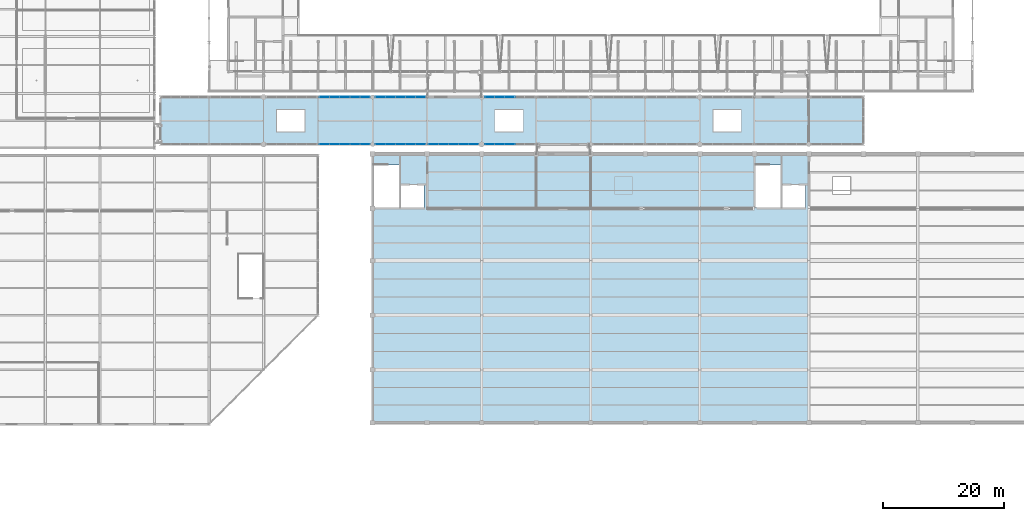
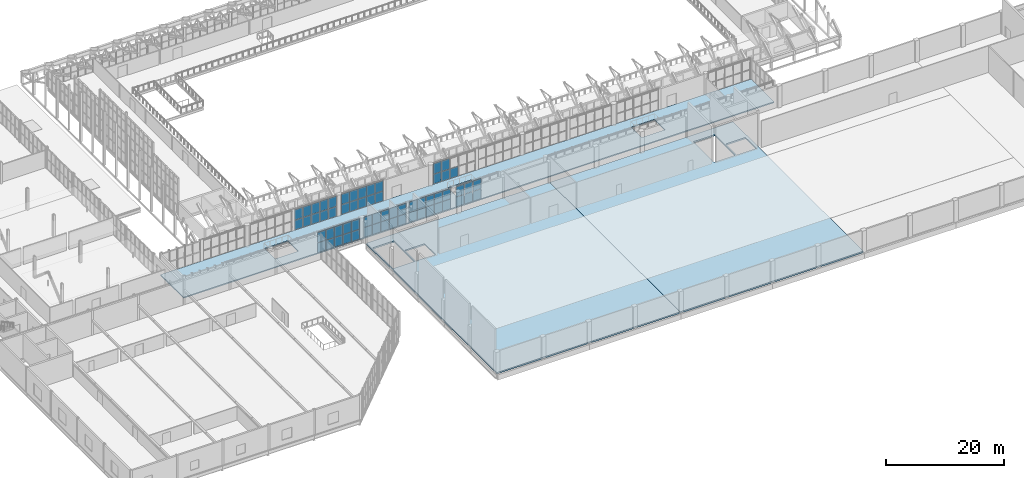
# One storey, part 92 of 134: 61 plates, 3 slabs, 7 elements without a shape of their own.
"""IFC4 building model written with IfcOpenShell, lengths in metres."""

from ifc_helpers import new_model, si_unit, direction, frame, origin, origin_2d, place, context, subcontext, project, spatial, polyline, rectangle, outline, extrude, material, layer, layer_set, type_object, element, aggregate, save


model = new_model("IFC4")

# Units and contexts
model_context = context("Model", 3, precision=1e-05, world=origin(), true_north=direction((0.0, 1.0)))
body_context = subcontext(model_context, "Body", "Model", "MODEL_VIEW")
ifc_project = project(units=[si_unit("LENGTHUNIT", "METRE"), si_unit("AREAUNIT", "SQUARE_METRE"), si_unit("VOLUMEUNIT", "CUBIC_METRE"), si_unit("PLANEANGLEUNIT", "RADIAN"), si_unit("MASSUNIT", "GRAM", prefix="KILO")], contexts=[model_context])

# Site, building, storey
site_placement = place(None, origin())
site = spatial("IfcSite", under=ifc_project, at=site_placement, CompositionType="ELEMENT")
building_placement = place(site_placement, origin())
building = spatial("IfcBuilding", under=site, at=building_placement, Name="Cazmaro Siding Exhibition Halls", CompositionType="ELEMENT")
storey_placement = place(building_placement, frame((0.0, 0.0, 12.0)))
storey = spatial("IfcBuildingStorey", under=building, at=storey_placement, Name="L02", CompositionType="ELEMENT", Elevation=12.0)

# Curtain wall, plates
ifc_material_1 = material(Name="Anodized Bronze Aluminum and Solar-Control Low-E Glazing", Category="aluminium")
ifc_layer_1 = layer(ifc_material_1, 0.199951171875)
ifc_layer_set_1 = layer_set([ifc_layer_1], Name="Anodized Bronze Aluminum and Solar-Control Low-E Glazing")
curtain_wall_type = type_object("IfcCurtainWallType", Name="CWS-02", PredefinedType="USERDEFINED", material=ifc_layer_set_1)
curtain_wall_1_placement = place(storey_placement, origin())
curtain_wall_1 = element("IfcCurtainWall", 1, at=curtain_wall_1_placement, inside=storey, type_object=curtain_wall_type, Name="Glazed Curtain Wall CWS-02 CW-158", ObjectType="GLAZED CURTAIN WALL", PredefinedType="USERDEFINED")
ifc_material_2 = material(Name="Solar-Control Low-E Double Insulating Glass", Category="glass")
ifc_layer_2 = layer(ifc_material_2, 0.035888671875)
ifc_layer_set_2 = layer_set([ifc_layer_2], Name="Solar-Control Low-E Double Insulating Glass")
plate_type = type_object("IfcPlateType", Name="CWP-02", PredefinedType="CURTAIN_PANEL", material=ifc_layer_set_2)
plate_1_placement = place(storey_placement, frame((64.08251953125, 55.199951171875, 0.06494140625), z_axis=(0.0, 0.0, 1.0), x_axis=(1.0, 0.0, 0.0)))
plate_1 = element("IfcPlate", 2, at=plate_1_placement, type_object=plate_type, Name="CWS-02 panel 1.1", PredefinedType="CURTAIN_PANEL", context=body_context, shape_type="SweptSolid", body=[
    extrude(rectangle(XDim=1.574951171875, YDim=0.035888671875, at=origin_2d()), origin(), (0.0, 0.0, 1.0), 2.00244140625),
])
plate_2_placement = place(storey_placement, frame((64.08251953125, 55.199951171875, 2.132568359375), z_axis=(0.0, 0.0, 1.0), x_axis=(1.0, 0.0, 0.0)))
plate_2 = element("IfcPlate", 3, at=plate_2_placement, type_object=plate_type, Name="CWS-02 panel 1.2", PredefinedType="CURTAIN_PANEL", context=body_context, shape_type="SweptSolid", body=[
    extrude(rectangle(XDim=1.574951171875, YDim=0.035888671875, at=origin_2d()), origin(), (0.0, 0.0, 1.0), 2.12744140625),
])
plate_3_placement = place(storey_placement, frame((65.738525390625, 55.199951171875, 0.06494140625), z_axis=(0.0, 0.0, 1.0), x_axis=(1.0, 0.0, 0.0)))
plate_3 = element("IfcPlate", 4, at=plate_3_placement, type_object=plate_type, Name="CWS-02 panel 2.1", PredefinedType="CURTAIN_PANEL", context=body_context, shape_type="SweptSolid", body=[
    extrude(rectangle(XDim=1.607421875, YDim=0.035888671875, at=origin_2d()), origin(), (0.0, 0.0, 1.0), 2.00244140625),
])
plate_4_placement = place(storey_placement, frame((65.738525390625, 55.199951171875, 2.132568359375), z_axis=(0.0, 0.0, 1.0), x_axis=(1.0, 0.0, 0.0)))
plate_4 = element("IfcPlate", 5, at=plate_4_placement, type_object=plate_type, Name="CWS-02 panel 2.2", PredefinedType="CURTAIN_PANEL", context=body_context, shape_type="SweptSolid", body=[
    extrude(rectangle(XDim=1.607421875, YDim=0.035888671875, at=origin_2d()), origin(), (0.0, 0.0, 1.0), 2.12744140625),
])
plate_5_placement = place(storey_placement, frame((67.410888671875, 55.199951171875, 0.06494140625), z_axis=(0.0, 0.0, 1.0), x_axis=(1.0, 0.0, 0.0)))
plate_5 = element("IfcPlate", 6, at=plate_5_placement, type_object=plate_type, Name="CWS-02 panel 3.1", PredefinedType="CURTAIN_PANEL", context=body_context, shape_type="SweptSolid", body=[
    extrude(rectangle(XDim=1.607421875, YDim=0.035888671875, at=origin_2d()), origin(), (0.0, 0.0, 1.0), 2.00244140625),
])
plate_6_placement = place(storey_placement, frame((67.410888671875, 55.199951171875, 2.132568359375), z_axis=(0.0, 0.0, 1.0), x_axis=(1.0, 0.0, 0.0)))
plate_6 = element("IfcPlate", 7, at=plate_6_placement, type_object=plate_type, Name="CWS-02 panel 3.2", PredefinedType="CURTAIN_PANEL", context=body_context, shape_type="SweptSolid", body=[
    extrude(rectangle(XDim=1.607421875, YDim=0.035888671875, at=origin_2d()), origin(), (0.0, 0.0, 1.0), 2.12744140625),
])
plate_7_placement = place(storey_placement, frame((69.08349609375, 55.199951171875, 0.06494140625), z_axis=(0.0, 0.0, 1.0), x_axis=(1.0, 0.0, 0.0)))
plate_7 = element("IfcPlate", 8, at=plate_7_placement, type_object=plate_type, Name="CWS-02 panel 4.1", PredefinedType="CURTAIN_PANEL", context=body_context, shape_type="SweptSolid", body=[
    extrude(rectangle(XDim=1.607421875, YDim=0.035888671875, at=origin_2d()), origin(), (0.0, 0.0, 1.0), 2.00244140625),
])
plate_8_placement = place(storey_placement, frame((69.08349609375, 55.199951171875, 2.132568359375), z_axis=(0.0, 0.0, 1.0), x_axis=(1.0, 0.0, 0.0)))
plate_8 = element("IfcPlate", 9, at=plate_8_placement, type_object=plate_type, Name="CWS-02 panel 4.2", PredefinedType="CURTAIN_PANEL", context=body_context, shape_type="SweptSolid", body=[
    extrude(rectangle(XDim=1.607421875, YDim=0.035888671875, at=origin_2d()), origin(), (0.0, 0.0, 1.0), 2.12744140625),
])
plate_9_placement = place(storey_placement, frame((70.739501953125, 55.199951171875, 0.06494140625), z_axis=(0.0, 0.0, 1.0), x_axis=(1.0, 0.0, 0.0)))
plate_9 = element("IfcPlate", 10, at=plate_9_placement, type_object=plate_type, Name="CWS-02 panel 5.1", PredefinedType="CURTAIN_PANEL", context=body_context, shape_type="SweptSolid", body=[
    extrude(rectangle(XDim=1.574951171875, YDim=0.035888671875, at=origin_2d()), origin(), (0.0, 0.0, 1.0), 2.00244140625),
])
plate_10_placement = place(storey_placement, frame((70.739501953125, 55.199951171875, 2.132568359375), z_axis=(0.0, 0.0, 1.0), x_axis=(1.0, 0.0, 0.0)))
plate_10 = element("IfcPlate", 11, at=plate_10_placement, type_object=plate_type, Name="CWS-02 panel 5.2", PredefinedType="CURTAIN_PANEL", context=body_context, shape_type="SweptSolid", body=[
    extrude(rectangle(XDim=1.574951171875, YDim=0.035888671875, at=origin_2d()), origin(), (0.0, 0.0, 1.0), 2.12744140625),
])
aggregate(curtain_wall_1, [plate_1, plate_2, plate_3, plate_4, plate_5, plate_6, plate_7, plate_8, plate_9, plate_10])

curtain_wall_2_placement = place(storey_placement, origin())
curtain_wall_2 = element("IfcCurtainWall", 12, at=curtain_wall_2_placement, inside=storey, type_object=curtain_wall_type, Name="Glazed Curtain Wall CWS-02 CW-160", ObjectType="GLAZED CURTAIN WALL", PredefinedType="USERDEFINED")
plate_11_placement = place(storey_placement, frame((70.739501953125, 63.0, 0.06494140625), z_axis=(0.0, 0.0, 1.0), x_axis=(-1.0, 0.0, 0.0)))
plate_11 = element("IfcPlate", 13, at=plate_11_placement, type_object=plate_type, Name="CWS-02 panel 1.1", PredefinedType="CURTAIN_PANEL", context=body_context, shape_type="SweptSolid", body=[
    extrude(rectangle(XDim=1.574951171875, YDim=0.035888671875, at=origin_2d()), origin(), (0.0, 0.0, 1.0), 2.00244140625),
])
plate_12_placement = place(storey_placement, frame((70.739501953125, 63.0, 2.132568359375), z_axis=(0.0, 0.0, 1.0), x_axis=(-1.0, 0.0, 0.0)))
plate_12 = element("IfcPlate", 14, at=plate_12_placement, type_object=plate_type, Name="CWS-02 panel 1.2", PredefinedType="CURTAIN_PANEL", context=body_context, shape_type="SweptSolid", body=[
    extrude(rectangle(XDim=1.574951171875, YDim=0.035888671875, at=origin_2d()), origin(), (0.0, 0.0, 1.0), 2.12744140625),
])
plate_13_placement = place(storey_placement, frame((69.08349609375, 63.0, 0.06494140625), z_axis=(0.0, 0.0, 1.0), x_axis=(-1.0, 0.0, 0.0)))
plate_13 = element("IfcPlate", 15, at=plate_13_placement, type_object=plate_type, Name="CWS-02 panel 2.1", PredefinedType="CURTAIN_PANEL", context=body_context, shape_type="SweptSolid", body=[
    extrude(rectangle(XDim=1.607421875, YDim=0.035888671875, at=origin_2d()), origin(), (0.0, 0.0, 1.0), 2.00244140625),
])
plate_14_placement = place(storey_placement, frame((69.08349609375, 63.0, 2.132568359375), z_axis=(0.0, 0.0, 1.0), x_axis=(-1.0, 0.0, 0.0)))
plate_14 = element("IfcPlate", 16, at=plate_14_placement, type_object=plate_type, Name="CWS-02 panel 2.2", PredefinedType="CURTAIN_PANEL", context=body_context, shape_type="SweptSolid", body=[
    extrude(rectangle(XDim=1.607421875, YDim=0.035888671875, at=origin_2d()), origin(), (0.0, 0.0, 1.0), 2.12744140625),
])
plate_15_placement = place(storey_placement, frame((67.410888671875, 63.0, 0.06494140625), z_axis=(0.0, 0.0, 1.0), x_axis=(-1.0, 0.0, 0.0)))
plate_15 = element("IfcPlate", 17, at=plate_15_placement, type_object=plate_type, Name="CWS-02 panel 3.1", PredefinedType="CURTAIN_PANEL", context=body_context, shape_type="SweptSolid", body=[
    extrude(rectangle(XDim=1.607421875, YDim=0.035888671875, at=origin_2d()), origin(), (0.0, 0.0, 1.0), 2.00244140625),
])
plate_16_placement = place(storey_placement, frame((67.410888671875, 63.0, 2.132568359375), z_axis=(0.0, 0.0, 1.0), x_axis=(-1.0, 0.0, 0.0)))
plate_16 = element("IfcPlate", 18, at=plate_16_placement, type_object=plate_type, Name="CWS-02 panel 3.2", PredefinedType="CURTAIN_PANEL", context=body_context, shape_type="SweptSolid", body=[
    extrude(rectangle(XDim=1.607421875, YDim=0.035888671875, at=origin_2d()), origin(), (0.0, 0.0, 1.0), 2.12744140625),
])
plate_17_placement = place(storey_placement, frame((65.738525390625, 63.0, 0.06494140625), z_axis=(0.0, 0.0, 1.0), x_axis=(-1.0, 0.0, 0.0)))
plate_17 = element("IfcPlate", 19, at=plate_17_placement, type_object=plate_type, Name="CWS-02 panel 4.1", PredefinedType="CURTAIN_PANEL", context=body_context, shape_type="SweptSolid", body=[
    extrude(rectangle(XDim=1.607421875, YDim=0.035888671875, at=origin_2d()), origin(), (0.0, 0.0, 1.0), 2.00244140625),
])
plate_18_placement = place(storey_placement, frame((65.738525390625, 63.0, 2.132568359375), z_axis=(0.0, 0.0, 1.0), x_axis=(-1.0, 0.0, 0.0)))
plate_18 = element("IfcPlate", 20, at=plate_18_placement, type_object=plate_type, Name="CWS-02 panel 4.2", PredefinedType="CURTAIN_PANEL", context=body_context, shape_type="SweptSolid", body=[
    extrude(rectangle(XDim=1.607421875, YDim=0.035888671875, at=origin_2d()), origin(), (0.0, 0.0, 1.0), 2.12744140625),
])
plate_19_placement = place(storey_placement, frame((64.08251953125, 63.0, 0.06494140625), z_axis=(0.0, 0.0, 1.0), x_axis=(-1.0, 0.0, 0.0)))
plate_19 = element("IfcPlate", 21, at=plate_19_placement, type_object=plate_type, Name="CWS-02 panel 5.1", PredefinedType="CURTAIN_PANEL", context=body_context, shape_type="SweptSolid", body=[
    extrude(rectangle(XDim=1.574951171875, YDim=0.035888671875, at=origin_2d()), origin(), (0.0, 0.0, 1.0), 2.00244140625),
])
plate_20_placement = place(storey_placement, frame((64.08251953125, 63.0, 2.132568359375), z_axis=(0.0, 0.0, 1.0), x_axis=(-1.0, 0.0, 0.0)))
plate_20 = element("IfcPlate", 22, at=plate_20_placement, type_object=plate_type, Name="CWS-02 panel 5.2", PredefinedType="CURTAIN_PANEL", context=body_context, shape_type="SweptSolid", body=[
    extrude(rectangle(XDim=1.574951171875, YDim=0.035888671875, at=origin_2d()), origin(), (0.0, 0.0, 1.0), 2.12744140625),
])
aggregate(curtain_wall_2, [plate_11, plate_12, plate_13, plate_14, plate_15, plate_16, plate_17, plate_18, plate_19, plate_20])

curtain_wall_3_placement = place(storey_placement, origin())
curtain_wall_3 = element("IfcCurtainWall", 23, at=curtain_wall_3_placement, inside=storey, type_object=curtain_wall_type, Name="Glazed Curtain Wall CWS-02 CW-164", ObjectType="GLAZED CURTAIN WALL", PredefinedType="USERDEFINED")
plate_21_placement = place(storey_placement, frame((73.260498046875, 55.199951171875, 0.06494140625), z_axis=(0.0, 0.0, 1.0), x_axis=(1.0, 0.0, 0.0)))
plate_21 = element("IfcPlate", 24, at=plate_21_placement, type_object=plate_type, Name="CWS-02 panel 1.1", PredefinedType="CURTAIN_PANEL", context=body_context, shape_type="SweptSolid", body=[
    extrude(rectangle(XDim=1.574951171875, YDim=0.035888671875, at=origin_2d()), origin(), (0.0, 0.0, 1.0), 2.00244140625),
])
plate_22_placement = place(storey_placement, frame((73.260498046875, 55.199951171875, 2.132568359375), z_axis=(0.0, 0.0, 1.0), x_axis=(1.0, 0.0, 0.0)))
plate_22 = element("IfcPlate", 25, at=plate_22_placement, type_object=plate_type, Name="CWS-02 panel 1.2", PredefinedType="CURTAIN_PANEL", context=body_context, shape_type="SweptSolid", body=[
    extrude(rectangle(XDim=1.574951171875, YDim=0.035888671875, at=origin_2d()), origin(), (0.0, 0.0, 1.0), 2.12744140625),
])
plate_23_placement = place(storey_placement, frame((74.91650390625, 55.199951171875, 0.06494140625), z_axis=(0.0, 0.0, 1.0), x_axis=(1.0, 0.0, 0.0)))
plate_23 = element("IfcPlate", 26, at=plate_23_placement, type_object=plate_type, Name="CWS-02 panel 2.1", PredefinedType="CURTAIN_PANEL", context=body_context, shape_type="SweptSolid", body=[
    extrude(rectangle(XDim=1.607421875, YDim=0.035888671875, at=origin_2d()), origin(), (0.0, 0.0, 1.0), 2.00244140625),
])
plate_24_placement = place(storey_placement, frame((74.91650390625, 55.199951171875, 2.132568359375), z_axis=(0.0, 0.0, 1.0), x_axis=(1.0, 0.0, 0.0)))
plate_24 = element("IfcPlate", 27, at=plate_24_placement, type_object=plate_type, Name="CWS-02 panel 2.2", PredefinedType="CURTAIN_PANEL", context=body_context, shape_type="SweptSolid", body=[
    extrude(rectangle(XDim=1.607421875, YDim=0.035888671875, at=origin_2d()), origin(), (0.0, 0.0, 1.0), 2.12744140625),
])
plate_25_placement = place(storey_placement, frame((76.589111328125, 55.199951171875, 0.06494140625), z_axis=(0.0, 0.0, 1.0), x_axis=(1.0, 0.0, 0.0)))
plate_25 = element("IfcPlate", 28, at=plate_25_placement, type_object=plate_type, Name="CWS-02 panel 3.1", PredefinedType="CURTAIN_PANEL", context=body_context, shape_type="SweptSolid", body=[
    extrude(rectangle(XDim=1.607421875, YDim=0.035888671875, at=origin_2d()), origin(), (0.0, 0.0, 1.0), 2.00244140625),
])
plate_26_placement = place(storey_placement, frame((76.589111328125, 55.199951171875, 2.132568359375), z_axis=(0.0, 0.0, 1.0), x_axis=(1.0, 0.0, 0.0)))
plate_26 = element("IfcPlate", 29, at=plate_26_placement, type_object=plate_type, Name="CWS-02 panel 3.2", PredefinedType="CURTAIN_PANEL", context=body_context, shape_type="SweptSolid", body=[
    extrude(rectangle(XDim=1.607421875, YDim=0.035888671875, at=origin_2d()), origin(), (0.0, 0.0, 1.0), 2.12744140625),
])
plate_27_placement = place(storey_placement, frame((78.261474609375, 55.199951171875, 0.06494140625), z_axis=(0.0, 0.0, 1.0), x_axis=(1.0, 0.0, 0.0)))
plate_27 = element("IfcPlate", 30, at=plate_27_placement, type_object=plate_type, Name="CWS-02 panel 4.1", PredefinedType="CURTAIN_PANEL", context=body_context, shape_type="SweptSolid", body=[
    extrude(rectangle(XDim=1.607421875, YDim=0.035888671875, at=origin_2d()), origin(), (0.0, 0.0, 1.0), 2.00244140625),
])
plate_28_placement = place(storey_placement, frame((78.261474609375, 55.199951171875, 2.132568359375), z_axis=(0.0, 0.0, 1.0), x_axis=(1.0, 0.0, 0.0)))
plate_28 = element("IfcPlate", 31, at=plate_28_placement, type_object=plate_type, Name="CWS-02 panel 4.2", PredefinedType="CURTAIN_PANEL", context=body_context, shape_type="SweptSolid", body=[
    extrude(rectangle(XDim=1.607421875, YDim=0.035888671875, at=origin_2d()), origin(), (0.0, 0.0, 1.0), 2.12744140625),
])
plate_29_placement = place(storey_placement, frame((79.91748046875, 55.199951171875, 0.06494140625), z_axis=(0.0, 0.0, 1.0), x_axis=(1.0, 0.0, 0.0)))
plate_29 = element("IfcPlate", 32, at=plate_29_placement, type_object=plate_type, Name="CWS-02 panel 5.1", PredefinedType="CURTAIN_PANEL", context=body_context, shape_type="SweptSolid", body=[
    extrude(rectangle(XDim=1.574951171875, YDim=0.035888671875, at=origin_2d()), origin(), (0.0, 0.0, 1.0), 2.00244140625),
])
plate_30_placement = place(storey_placement, frame((79.91748046875, 55.199951171875, 2.132568359375), z_axis=(0.0, 0.0, 1.0), x_axis=(1.0, 0.0, 0.0)))
plate_30 = element("IfcPlate", 33, at=plate_30_placement, type_object=plate_type, Name="CWS-02 panel 5.2", PredefinedType="CURTAIN_PANEL", context=body_context, shape_type="SweptSolid", body=[
    extrude(rectangle(XDim=1.574951171875, YDim=0.035888671875, at=origin_2d()), origin(), (0.0, 0.0, 1.0), 2.12744140625),
])
aggregate(curtain_wall_3, [plate_21, plate_22, plate_23, plate_24, plate_25, plate_26, plate_27, plate_28, plate_29, plate_30])

curtain_wall_4_placement = place(storey_placement, origin())
curtain_wall_4 = element("IfcCurtainWall", 34, at=curtain_wall_4_placement, inside=storey, type_object=curtain_wall_type, Name="Glazed Curtain Wall CWS-02 CW-166", ObjectType="GLAZED CURTAIN WALL", PredefinedType="USERDEFINED")
plate_31_placement = place(storey_placement, frame((79.91748046875, 63.0, 0.06494140625), z_axis=(0.0, 0.0, 1.0), x_axis=(-1.0, 0.0, 0.0)))
plate_31 = element("IfcPlate", 35, at=plate_31_placement, type_object=plate_type, Name="CWS-02 panel 1.1", PredefinedType="CURTAIN_PANEL", context=body_context, shape_type="SweptSolid", body=[
    extrude(rectangle(XDim=1.574951171875, YDim=0.035888671875, at=origin_2d()), origin(), (0.0, 0.0, 1.0), 2.00244140625),
])
plate_32_placement = place(storey_placement, frame((79.91748046875, 63.0, 2.132568359375), z_axis=(0.0, 0.0, 1.0), x_axis=(-1.0, 0.0, 0.0)))
plate_32 = element("IfcPlate", 36, at=plate_32_placement, type_object=plate_type, Name="CWS-02 panel 1.2", PredefinedType="CURTAIN_PANEL", context=body_context, shape_type="SweptSolid", body=[
    extrude(rectangle(XDim=1.574951171875, YDim=0.035888671875, at=origin_2d()), origin(), (0.0, 0.0, 1.0), 2.12744140625),
])
plate_33_placement = place(storey_placement, frame((78.261474609375, 63.0, 0.06494140625), z_axis=(0.0, 0.0, 1.0), x_axis=(-1.0, 0.0, 0.0)))
plate_33 = element("IfcPlate", 37, at=plate_33_placement, type_object=plate_type, Name="CWS-02 panel 2.1", PredefinedType="CURTAIN_PANEL", context=body_context, shape_type="SweptSolid", body=[
    extrude(rectangle(XDim=1.607421875, YDim=0.035888671875, at=origin_2d()), origin(), (0.0, 0.0, 1.0), 2.00244140625),
])
plate_34_placement = place(storey_placement, frame((78.261474609375, 63.0, 2.132568359375), z_axis=(0.0, 0.0, 1.0), x_axis=(-1.0, 0.0, 0.0)))
plate_34 = element("IfcPlate", 38, at=plate_34_placement, type_object=plate_type, Name="CWS-02 panel 2.2", PredefinedType="CURTAIN_PANEL", context=body_context, shape_type="SweptSolid", body=[
    extrude(rectangle(XDim=1.607421875, YDim=0.035888671875, at=origin_2d()), origin(), (0.0, 0.0, 1.0), 2.12744140625),
])
plate_35_placement = place(storey_placement, frame((76.589111328125, 63.0, 0.06494140625), z_axis=(0.0, 0.0, 1.0), x_axis=(-1.0, 0.0, 0.0)))
plate_35 = element("IfcPlate", 39, at=plate_35_placement, type_object=plate_type, Name="CWS-02 panel 3.1", PredefinedType="CURTAIN_PANEL", context=body_context, shape_type="SweptSolid", body=[
    extrude(rectangle(XDim=1.607421875, YDim=0.035888671875, at=origin_2d()), origin(), (0.0, 0.0, 1.0), 2.00244140625),
])
plate_36_placement = place(storey_placement, frame((76.589111328125, 63.0, 2.132568359375), z_axis=(0.0, 0.0, 1.0), x_axis=(-1.0, 0.0, 0.0)))
plate_36 = element("IfcPlate", 40, at=plate_36_placement, type_object=plate_type, Name="CWS-02 panel 3.2", PredefinedType="CURTAIN_PANEL", context=body_context, shape_type="SweptSolid", body=[
    extrude(rectangle(XDim=1.607421875, YDim=0.035888671875, at=origin_2d()), origin(), (0.0, 0.0, 1.0), 2.12744140625),
])
plate_37_placement = place(storey_placement, frame((74.91650390625, 63.0, 0.06494140625), z_axis=(0.0, 0.0, 1.0), x_axis=(-1.0, 0.0, 0.0)))
plate_37 = element("IfcPlate", 41, at=plate_37_placement, type_object=plate_type, Name="CWS-02 panel 4.1", PredefinedType="CURTAIN_PANEL", context=body_context, shape_type="SweptSolid", body=[
    extrude(rectangle(XDim=1.607421875, YDim=0.035888671875, at=origin_2d()), origin(), (0.0, 0.0, 1.0), 2.00244140625),
])
plate_38_placement = place(storey_placement, frame((74.91650390625, 63.0, 2.132568359375), z_axis=(0.0, 0.0, 1.0), x_axis=(-1.0, 0.0, 0.0)))
plate_38 = element("IfcPlate", 42, at=plate_38_placement, type_object=plate_type, Name="CWS-02 panel 4.2", PredefinedType="CURTAIN_PANEL", context=body_context, shape_type="SweptSolid", body=[
    extrude(rectangle(XDim=1.607421875, YDim=0.035888671875, at=origin_2d()), origin(), (0.0, 0.0, 1.0), 2.12744140625),
])
plate_39_placement = place(storey_placement, frame((73.260498046875, 63.0, 0.06494140625), z_axis=(0.0, 0.0, 1.0), x_axis=(-1.0, 0.0, 0.0)))
plate_39 = element("IfcPlate", 43, at=plate_39_placement, type_object=plate_type, Name="CWS-02 panel 5.1", PredefinedType="CURTAIN_PANEL", context=body_context, shape_type="SweptSolid", body=[
    extrude(rectangle(XDim=1.574951171875, YDim=0.035888671875, at=origin_2d()), origin(), (0.0, 0.0, 1.0), 2.00244140625),
])
plate_40_placement = place(storey_placement, frame((73.260498046875, 63.0, 2.132568359375), z_axis=(0.0, 0.0, 1.0), x_axis=(-1.0, 0.0, 0.0)))
plate_40 = element("IfcPlate", 44, at=plate_40_placement, type_object=plate_type, Name="CWS-02 panel 5.2", PredefinedType="CURTAIN_PANEL", context=body_context, shape_type="SweptSolid", body=[
    extrude(rectangle(XDim=1.574951171875, YDim=0.035888671875, at=origin_2d()), origin(), (0.0, 0.0, 1.0), 2.12744140625),
])
aggregate(curtain_wall_4, [plate_31, plate_32, plate_33, plate_34, plate_35, plate_36, plate_37, plate_38, plate_39, plate_40])

curtain_wall_5_placement = place(storey_placement, origin())
curtain_wall_5 = element("IfcCurtainWall", 45, at=curtain_wall_5_placement, inside=storey, type_object=curtain_wall_type, Name="Glazed Curtain Wall CWS-02 CW-169", ObjectType="GLAZED CURTAIN WALL", PredefinedType="USERDEFINED")
plate_41_placement = place(storey_placement, frame((82.074951171875, 55.199951171875, 0.06494140625), z_axis=(0.0, 0.0, 1.0), x_axis=(1.0, 0.0, 0.0)))
plate_41 = element("IfcPlate", 46, at=plate_41_placement, type_object=plate_type, Name="CWS-02 panel 1.1", PredefinedType="CURTAIN_PANEL", context=body_context, shape_type="SweptSolid", body=[
    extrude(rectangle(XDim=1.559814453125, YDim=0.035888671875, at=origin_2d()), origin(), (0.0, 0.0, 1.0), 2.00244140625),
])
plate_42_placement = place(storey_placement, frame((82.074951171875, 55.199951171875, 2.132568359375), z_axis=(0.0, 0.0, 1.0), x_axis=(1.0, 0.0, 0.0)))
plate_42 = element("IfcPlate", 47, at=plate_42_placement, type_object=plate_type, Name="CWS-02 panel 1.2", PredefinedType="CURTAIN_PANEL", context=body_context, shape_type="SweptSolid", body=[
    extrude(rectangle(XDim=1.559814453125, YDim=0.035888671875, at=origin_2d()), origin(), (0.0, 0.0, 1.0), 2.12744140625),
])
plate_43_placement = place(storey_placement, frame((83.716064453125, 55.199951171875, 0.06494140625), z_axis=(0.0, 0.0, 1.0), x_axis=(1.0, 0.0, 0.0)))
plate_43 = element("IfcPlate", 48, at=plate_43_placement, type_object=plate_type, Name="CWS-02 panel 2.1", PredefinedType="CURTAIN_PANEL", context=body_context, shape_type="SweptSolid", body=[
    extrude(rectangle(XDim=1.59228515625, YDim=0.035888671875, at=origin_2d()), origin(), (0.0, 0.0, 1.0), 2.00244140625),
])
plate_44_placement = place(storey_placement, frame((83.716064453125, 55.199951171875, 2.132568359375), z_axis=(0.0, 0.0, 1.0), x_axis=(1.0, 0.0, 0.0)))
plate_44 = element("IfcPlate", 49, at=plate_44_placement, type_object=plate_type, Name="CWS-02 panel 2.2", PredefinedType="CURTAIN_PANEL", context=body_context, shape_type="SweptSolid", body=[
    extrude(rectangle(XDim=1.59228515625, YDim=0.035888671875, at=origin_2d()), origin(), (0.0, 0.0, 1.0), 2.12744140625),
])
plate_45_placement = place(storey_placement, frame((85.37353515625, 55.199951171875, 0.06494140625), z_axis=(0.0, 0.0, 1.0), x_axis=(1.0, 0.0, 0.0)))
plate_45 = element("IfcPlate", 50, at=plate_45_placement, type_object=plate_type, Name="CWS-02 panel 3.1", PredefinedType="CURTAIN_PANEL", context=body_context, shape_type="SweptSolid", body=[
    extrude(rectangle(XDim=1.59228515625, YDim=0.035888671875, at=origin_2d()), origin(), (0.0, 0.0, 1.0), 2.00244140625),
])
plate_46_placement = place(storey_placement, frame((85.37353515625, 55.199951171875, 2.132568359375), z_axis=(0.0, 0.0, 1.0), x_axis=(1.0, 0.0, 0.0)))
plate_46 = element("IfcPlate", 51, at=plate_46_placement, type_object=plate_type, Name="CWS-02 panel 3.2", PredefinedType="CURTAIN_PANEL", context=body_context, shape_type="SweptSolid", body=[
    extrude(rectangle(XDim=1.59228515625, YDim=0.035888671875, at=origin_2d()), origin(), (0.0, 0.0, 1.0), 2.12744140625),
])
plate_47_placement = place(storey_placement, frame((87.031005859375, 55.199951171875, 0.06494140625), z_axis=(0.0, 0.0, 1.0), x_axis=(1.0, 0.0, 0.0)))
plate_47 = element("IfcPlate", 52, at=plate_47_placement, type_object=plate_type, Name="CWS-02 panel 4.1", PredefinedType="CURTAIN_PANEL", context=body_context, shape_type="SweptSolid", body=[
    extrude(rectangle(XDim=1.59228515625, YDim=0.035888671875, at=origin_2d()), origin(), (0.0, 0.0, 1.0), 2.00244140625),
])
plate_48_placement = place(storey_placement, frame((87.031005859375, 55.199951171875, 2.132568359375), z_axis=(0.0, 0.0, 1.0), x_axis=(1.0, 0.0, 0.0)))
plate_48 = element("IfcPlate", 53, at=plate_48_placement, type_object=plate_type, Name="CWS-02 panel 4.2", PredefinedType="CURTAIN_PANEL", context=body_context, shape_type="SweptSolid", body=[
    extrude(rectangle(XDim=1.59228515625, YDim=0.035888671875, at=origin_2d()), origin(), (0.0, 0.0, 1.0), 2.12744140625),
])
plate_49_placement = place(storey_placement, frame((88.672119140625, 55.199951171875, 0.06494140625), z_axis=(0.0, 0.0, 1.0), x_axis=(1.0, 0.0, 0.0)))
plate_49 = element("IfcPlate", 54, at=plate_49_placement, type_object=plate_type, Name="CWS-02 panel 5.1", PredefinedType="CURTAIN_PANEL", context=body_context, shape_type="SweptSolid", body=[
    extrude(rectangle(XDim=1.559814453125, YDim=0.035888671875, at=origin_2d()), origin(), (0.0, 0.0, 1.0), 2.00244140625),
])
plate_50_placement = place(storey_placement, frame((88.672119140625, 55.199951171875, 2.132568359375), z_axis=(0.0, 0.0, 1.0), x_axis=(1.0, 0.0, 0.0)))
plate_50 = element("IfcPlate", 55, at=plate_50_placement, type_object=plate_type, Name="CWS-02 panel 5.2", PredefinedType="CURTAIN_PANEL", context=body_context, shape_type="SweptSolid", body=[
    extrude(rectangle(XDim=1.559814453125, YDim=0.035888671875, at=origin_2d()), origin(), (0.0, 0.0, 1.0), 2.12744140625),
])
aggregate(curtain_wall_5, [plate_41, plate_42, plate_43, plate_44, plate_45, plate_46, plate_47, plate_48, plate_49, plate_50])

curtain_wall_6_placement = place(storey_placement, origin())
curtain_wall_6 = element("IfcCurtainWall", 56, at=curtain_wall_6_placement, inside=storey, type_object=curtain_wall_type, Name="Glazed Curtain Wall CWS-02 CW-173", ObjectType="GLAZED CURTAIN WALL", PredefinedType="USERDEFINED")
plate_51_placement = place(storey_placement, frame((91.327880859375, 55.199951171875, 0.06494140625), z_axis=(0.0, 0.0, 1.0), x_axis=(1.0, 0.0, 0.0)))
plate_51 = element("IfcPlate", 57, at=plate_51_placement, type_object=plate_type, Name="CWS-02 panel 1.1", PredefinedType="CURTAIN_PANEL", context=body_context, shape_type="SweptSolid", body=[
    extrude(rectangle(XDim=1.559814453125, YDim=0.035888671875, at=origin_2d()), origin(), (0.0, 0.0, 1.0), 2.00244140625),
])
plate_52_placement = place(storey_placement, frame((91.327880859375, 55.199951171875, 2.132568359375), z_axis=(0.0, 0.0, 1.0), x_axis=(1.0, 0.0, 0.0)))
plate_52 = element("IfcPlate", 58, at=plate_52_placement, type_object=plate_type, Name="CWS-02 panel 1.2", PredefinedType="CURTAIN_PANEL", context=body_context, shape_type="SweptSolid", body=[
    extrude(rectangle(XDim=1.559814453125, YDim=0.035888671875, at=origin_2d()), origin(), (0.0, 0.0, 1.0), 2.12744140625),
])
plate_53_placement = place(storey_placement, frame((92.968994140625, 55.199951171875, 0.06494140625), z_axis=(0.0, 0.0, 1.0), x_axis=(1.0, 0.0, 0.0)))
plate_53 = element("IfcPlate", 59, at=plate_53_placement, type_object=plate_type, Name="CWS-02 panel 2.1", PredefinedType="CURTAIN_PANEL", context=body_context, shape_type="SweptSolid", body=[
    extrude(rectangle(XDim=1.59228515625, YDim=0.035888671875, at=origin_2d()), origin(), (0.0, 0.0, 1.0), 2.00244140625),
])
plate_54_placement = place(storey_placement, frame((92.968994140625, 55.199951171875, 2.132568359375), z_axis=(0.0, 0.0, 1.0), x_axis=(1.0, 0.0, 0.0)))
plate_54 = element("IfcPlate", 60, at=plate_54_placement, type_object=plate_type, Name="CWS-02 panel 2.2", PredefinedType="CURTAIN_PANEL", context=body_context, shape_type="SweptSolid", body=[
    extrude(rectangle(XDim=1.59228515625, YDim=0.035888671875, at=origin_2d()), origin(), (0.0, 0.0, 1.0), 2.12744140625),
])
plate_55_placement = place(storey_placement, frame((94.62646484375, 55.199951171875, 0.06494140625), z_axis=(0.0, 0.0, 1.0), x_axis=(1.0, 0.0, 0.0)))
plate_55 = element("IfcPlate", 61, at=plate_55_placement, type_object=plate_type, Name="CWS-02 panel 3.1", PredefinedType="CURTAIN_PANEL", context=body_context, shape_type="SweptSolid", body=[
    extrude(rectangle(XDim=1.59228515625, YDim=0.035888671875, at=origin_2d()), origin(), (0.0, 0.0, 1.0), 2.00244140625),
])
plate_56_placement = place(storey_placement, frame((94.62646484375, 55.199951171875, 2.132568359375), z_axis=(0.0, 0.0, 1.0), x_axis=(1.0, 0.0, 0.0)))
plate_56 = element("IfcPlate", 62, at=plate_56_placement, type_object=plate_type, Name="CWS-02 panel 3.2", PredefinedType="CURTAIN_PANEL", context=body_context, shape_type="SweptSolid", body=[
    extrude(rectangle(XDim=1.59228515625, YDim=0.035888671875, at=origin_2d()), origin(), (0.0, 0.0, 1.0), 2.12744140625),
])
aggregate(curtain_wall_6, [plate_51, plate_52, plate_53, plate_54, plate_55, plate_56])

curtain_wall_7_placement = place(storey_placement, origin())
curtain_wall_7 = element("IfcCurtainWall", 63, at=curtain_wall_7_placement, inside=storey, type_object=curtain_wall_type, Name="Glazed Curtain Wall CWS-02 CW-175", ObjectType="GLAZED CURTAIN WALL", PredefinedType="USERDEFINED")
plate_57_placement = place(storey_placement, frame((94.62646484375, 63.0, 0.06494140625), z_axis=(0.0, 0.0, 1.0), x_axis=(-1.0, 0.0, 0.0)))
plate_57 = element("IfcPlate", 64, at=plate_57_placement, type_object=plate_type, Name="CWS-02 panel 3.1", PredefinedType="CURTAIN_PANEL", context=body_context, shape_type="SweptSolid", body=[
    extrude(rectangle(XDim=1.59228515625, YDim=0.035888671875, at=origin_2d()), origin(), (0.0, 0.0, 1.0), 2.00244140625),
])
plate_58_placement = place(storey_placement, frame((92.968994140625, 63.0, 0.06494140625), z_axis=(0.0, 0.0, 1.0), x_axis=(-1.0, 0.0, 0.0)))
plate_58 = element("IfcPlate", 65, at=plate_58_placement, type_object=plate_type, Name="CWS-02 panel 4.1", PredefinedType="CURTAIN_PANEL", context=body_context, shape_type="SweptSolid", body=[
    extrude(rectangle(XDim=1.59228515625, YDim=0.035888671875, at=origin_2d()), origin(), (0.0, 0.0, 1.0), 2.00244140625),
])
plate_59_placement = place(storey_placement, frame((92.968994140625, 63.0, 2.132568359375), z_axis=(0.0, 0.0, 1.0), x_axis=(-1.0, 0.0, 0.0)))
plate_59 = element("IfcPlate", 66, at=plate_59_placement, type_object=plate_type, Name="CWS-02 panel 4.2", PredefinedType="CURTAIN_PANEL", context=body_context, shape_type="SweptSolid", body=[
    extrude(rectangle(XDim=1.59228515625, YDim=0.035888671875, at=origin_2d()), origin(), (0.0, 0.0, 1.0), 2.12744140625),
])
plate_60_placement = place(storey_placement, frame((91.327880859375, 63.0, 0.06494140625), z_axis=(0.0, 0.0, 1.0), x_axis=(-1.0, 0.0, 0.0)))
plate_60 = element("IfcPlate", 67, at=plate_60_placement, type_object=plate_type, Name="CWS-02 panel 5.1", PredefinedType="CURTAIN_PANEL", context=body_context, shape_type="SweptSolid", body=[
    extrude(rectangle(XDim=1.559814453125, YDim=0.035888671875, at=origin_2d()), origin(), (0.0, 0.0, 1.0), 2.00244140625),
])
plate_61_placement = place(storey_placement, frame((91.327880859375, 63.0, 2.132568359375), z_axis=(0.0, 0.0, 1.0), x_axis=(-1.0, 0.0, 0.0)))
plate_61 = element("IfcPlate", 68, at=plate_61_placement, type_object=plate_type, Name="CWS-02 panel 5.2", PredefinedType="CURTAIN_PANEL", context=body_context, shape_type="SweptSolid", body=[
    extrude(rectangle(XDim=1.559814453125, YDim=0.035888671875, at=origin_2d()), origin(), (0.0, 0.0, 1.0), 2.12744140625),
])
aggregate(curtain_wall_7, [plate_57, plate_58, plate_59, plate_60, plate_61])

# Slabs
ifc_material_3 = material(Name="Concrete f'c 35 MPa", Category="concrete")
ifc_layer_3 = layer(ifc_material_3, 0.219970703125)
ifc_layer_set_3 = layer_set([ifc_layer_3], Name="Concrete f'c 35 MPa")
slab_type_1 = type_object("IfcSlabType", Name="FS-01", PredefinedType="FLOOR", material=ifc_layer_set_3)
slab_1_placement = place(storey_placement, frame((0.0, 0.0, -0.219970703125)))
element("IfcSlab", 69, at=slab_1_placement, inside=storey, type_object=slab_type_1, Name="Sky-Bridge Concourse Foyer L02 FS-01 SLB-0034", PredefinedType="FLOOR", context=body_context, shape_type="SweptSolid", body=[
    extrude(outline(polyline([(37.0, 55.199951171875), (153.0, 55.199951171875), (153.0, 63.0), (37.0, 63.0), (37.0, 55.199951171875)]), holes=[polyline([(56.199951171875, 57.300048828125), (60.800048828125, 57.300048828125), (60.800048828125, 60.89990234375), (56.199951171875, 60.89990234375), (56.199951171875, 57.300048828125)]), polyline([(92.199951171875, 57.300048828125), (96.800048828125, 57.300048828125), (96.800048828125, 60.89990234375), (92.199951171875, 60.89990234375), (92.199951171875, 57.300048828125)]), polyline([(128.199951171875, 57.300048828125), (132.800048828125, 57.300048828125), (132.800048828125, 60.89990234375), (128.199951171875, 60.89990234375), (128.199951171875, 57.300048828125)])]), origin(), (0.0, 0.0, 1.0), 0.219970703125),
])
ifc_material_4 = material(Name="Concrete f'c 45 MPa", Category="concrete")
ifc_layer_4 = layer(ifc_material_4, 0.300048828125)
ifc_layer_set_4 = layer_set([ifc_layer_4], Name="Concrete f'c 45 MPa")
slab_type_2 = type_object("IfcSlabType", Name="FS-03", PredefinedType="FLOOR", material=ifc_layer_set_4)
slab_2_placement = place(storey_placement, frame((0.0, 0.0, -0.300048828125)))
element("IfcSlab", 70, at=slab_2_placement, inside=storey, type_object=slab_type_2, Name="Upper Hall B2 Deck 1 L02 FS-03 SLB-0029", PredefinedType="FLOOR", context=body_context, shape_type="SweptSolid", body=[
    extrude(outline(polyline([(72.0, 9.25), (108.0, 9.25), (108.0, 53.60009765625), (72.0, 53.60009765625), (72.0, 9.25)]), holes=[polyline([(72.179931640625, 44.780029296875), (76.375, 44.780029296875), (76.375, 51.820068359375), (72.179931640625, 51.820068359375), (72.179931640625, 44.780029296875)]), polyline([(76.625, 44.780029296875), (80.47998046875, 44.780029296875), (80.47998046875, 48.47998046875), (76.625, 48.47998046875), (76.625, 44.780029296875)])]), origin(), (0.0, 0.0, 1.0), 0.300048828125),
])
slab_3_placement = place(storey_placement, frame((0.0, 0.0, -0.300048828125)))
element("IfcSlab", 71, at=slab_3_placement, inside=storey, type_object=slab_type_2, Name="Upper Hall B2 Deck 2 L02 FS-03 SLB-0030", PredefinedType="FLOOR", context=body_context, shape_type="SweptSolid", body=[
    extrude(outline(polyline([(108.0, 9.25), (144.0, 9.25), (144.0, 53.60009765625), (108.0, 53.60009765625), (108.0, 9.25)]), holes=[polyline([(135.179931640625, 44.780029296875), (139.375, 44.780029296875), (139.375, 51.820068359375), (135.179931640625, 51.820068359375), (135.179931640625, 44.780029296875)]), polyline([(139.625, 44.780029296875), (143.47998046875, 44.780029296875), (143.47998046875, 48.47998046875), (139.625, 48.47998046875), (139.625, 44.780029296875)])]), origin(), (0.0, 0.0, 1.0), 0.300048828125),
])

save(model, "model.ifc")
